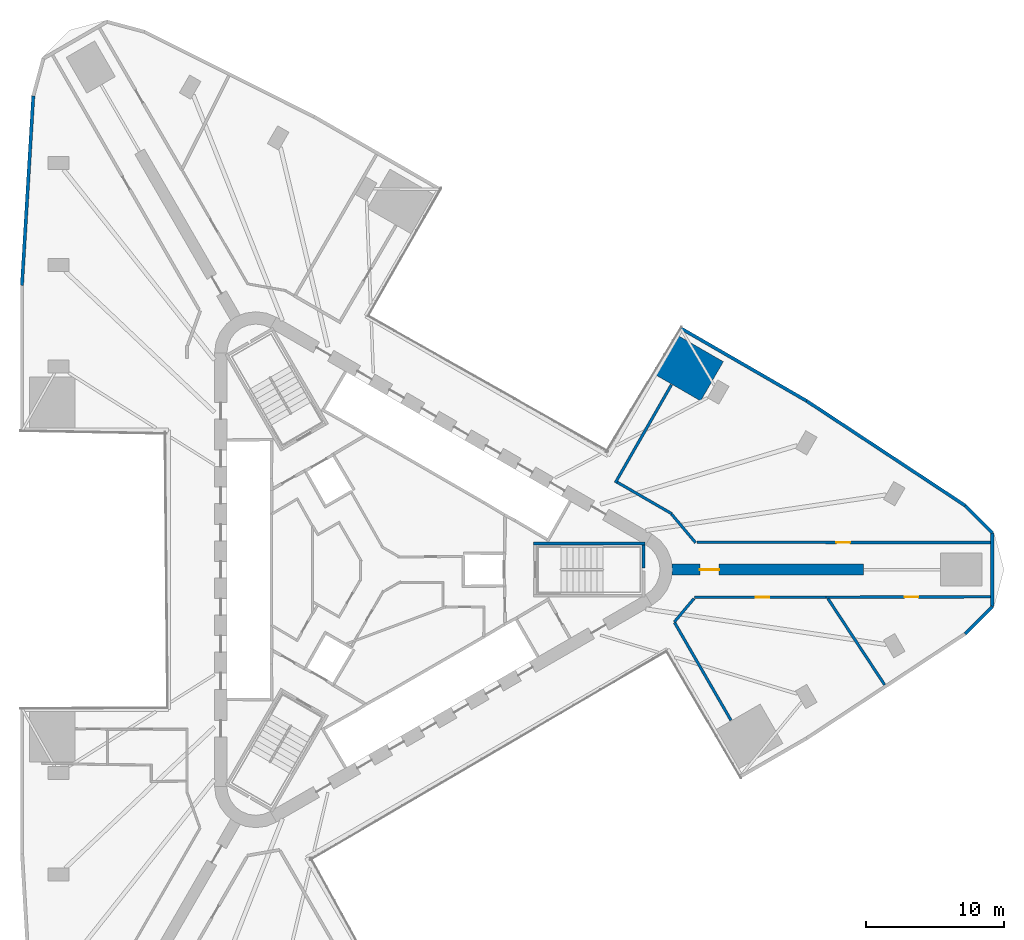
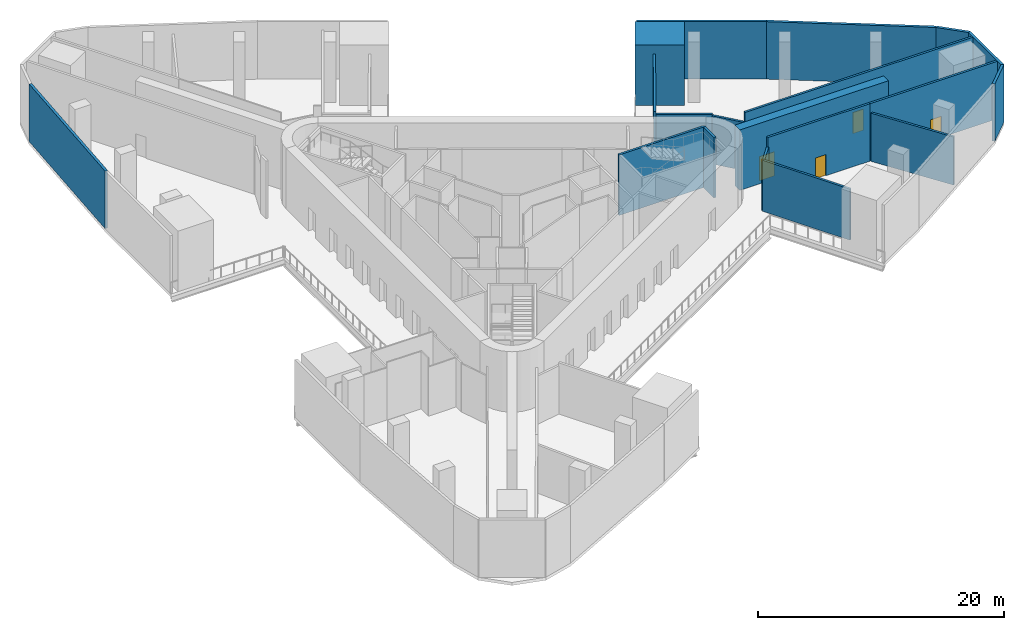
# One storey, part 7 of 11: 19 walls, 4 doors, 4 openings.
"""IFC4 building model written with IfcOpenShell, lengths in metres."""

from ifc_helpers import new_model, si_unit, direction, frame, frame_2d, origin, place, context, subcontext, project, spatial, polyline, rectangle, outline, extrude, material, layer, layer_set, type_object, element, fill, save


model = new_model("IFC4")

# Units and contexts
model_context = context("Model", 3, precision=1e-05, world=origin(), true_north=direction((0.0, 1.0)))
body_context = subcontext(model_context, "Body", "Model", "MODEL_VIEW")
ifc_project = project(units=[si_unit("LENGTHUNIT", "METRE"), si_unit("AREAUNIT", "SQUARE_METRE"), si_unit("VOLUMEUNIT", "CUBIC_METRE"), si_unit("PLANEANGLEUNIT", "RADIAN"), si_unit("MASSUNIT", "GRAM", prefix="KILO")], contexts=[model_context])

# Site, building, storey
site_placement = place(None, origin())
site = spatial("IfcSite", under=ifc_project, at=site_placement, CompositionType="ELEMENT")
building_placement = place(site_placement, origin())
building = spatial("IfcBuilding", under=site, at=building_placement, Name="Tanit Gate Tower", CompositionType="ELEMENT")
storey_placement = place(building_placement, frame((0.0, 0.0, 15.5)))
storey = spatial("IfcBuildingStorey", under=building, at=storey_placement, Name="L02", CompositionType="ELEMENT", Elevation=15.5)

# Wall, opening, door
ifc_material_1 = material(Name="Concrete C60/75", Category="concrete")
ifc_layer_1 = layer(ifc_material_1, 0.800048828125)
ifc_layer_set_1 = layer_set([ifc_layer_1], Name="BUTTRESS FIN 800 C60/75")
wall_type_1 = type_object("IfcWallType", Name="BUTTRESS FIN 800 C60/75", PredefinedType="SHEAR", material=ifc_layer_set_1)
wall_1_placement = place(storey_placement, frame((21.14990234375, 0.0, 0.0), z_axis=(0.0, 0.0, 1.0), x_axis=(1.0, 0.0, 0.0)))
wall_1 = element("IfcWall", 1, at=wall_1_placement, inside=storey, type_object=wall_type_1, Name="BUTTRESS FIN", PredefinedType="SHEAR", context=body_context, shape_type="SweptSolid", body=[
    extrude(rectangle(XDim=13.9541015625, YDim=0.800048828125, at=frame_2d((6.97705078125, 0.0))), origin(), (0.0, 0.0, 1.0), 6.0),
])
opening_1_placement = place(wall_1_placement, frame((2.050048828125, 0.0, 0.0)))
opening_1 = element("IfcOpeningElement", 2, at=opening_1_placement, cuts=wall_1, Name="Opening P14-02-F-E-1", PredefinedType="OPENING", context=body_context, shape_type="SweptSolid", body=[
    extrude(rectangle(XDim=1.39990234375, YDim=2.39990234375, at=frame_2d((0.699951171875, 1.199951171875))), frame((0.0, 0.41015625, 0.0), z_axis=(0.0, -1.0, 0.0), x_axis=(1.0, 0.0, 0.0)), (0.0, 0.0, 1.0), 0.820068359375),
])
ifc_material_2 = material(Name="Timber door leaf", Category="wood")
door_type_1 = type_object("IfcDoorType", Name="INT-DOOR-FIN-PAIR-1400", OperationType="NOTDEFINED", PredefinedType="NOTDEFINED", material=ifc_material_2)
door_1_placement = place(opening_1_placement, origin())
door_1 = element("IfcDoor", 3, at=door_1_placement, inside=storey, type_object=door_type_1, Name="Door P14-02-F-E-1", OperationType="DOUBLE_DOOR_SINGLE_SWING", OverallHeight=2.39990234375, OverallWidth=1.39990234375, PredefinedType="NOTDEFINED", context=body_context, shape_type="SweptSolid", body=[
    extrude(rectangle(XDim=1.39990234375, YDim=2.39990234375, at=frame_2d((0.699951171875, 1.199951171875))), frame((0.0, 0.02490234375, 0.0), z_axis=(0.0, -1.0, 0.0), x_axis=(1.0, 0.0, 0.0)), (0.0, 0.0, 1.0), 0.050048828125),
])
fill(opening_1, door_1)

# Walls
ifc_material_3 = material(Name="Concrete C30/37 with bronze anodised aluminium cladding", Category="concrete")
ifc_layer_2 = layer(ifc_material_3, 0.239990234375)
ifc_layer_set_2 = layer_set([ifc_layer_2], Name="Facade wall bronze clad 240")
wall_type_2 = type_object("IfcWallType", Name="Facade wall bronze clad 240", PredefinedType="SOLIDWALL", material=ifc_layer_set_2)
wall_2_placement = place(storey_placement, frame((42.4873046875, 4.665771484375, 0.0), z_axis=(0.0, 0.0, 1.0), x_axis=(-0.834569880428, 0.550902091739, 0.0)))
element("IfcWall", 4, at=wall_2_placement, inside=storey, type_object=wall_type_2, Name="Bronze-clad facade wall L02 NE1", PredefinedType="SOLIDWALL", context=body_context, shape_type="SweptSolid", body=[
    extrude(rectangle(XDim=13.801513671875, YDim=0.239990234375, at=frame_2d((6.90087890625, 0.0))), origin(), (0.0, 0.0, 1.0), 5.699951171875),
])
wall_3_placement = place(storey_placement, frame((30.968994140625, 12.26904296875, 0.0), z_axis=(0.0, 0.0, 1.0), x_axis=(-0.86605207128, 0.499953807697, 0.0)))
element("IfcWall", 5, at=wall_3_placement, inside=storey, type_object=wall_type_2, Name="Bronze-clad facade wall L02 NE2a", PredefinedType="SOLIDWALL", context=body_context, shape_type="SweptSolid", body=[
    extrude(rectangle(XDim=10.56591796875, YDim=0.239990234375, at=frame_2d((5.282958984375, 0.0))), origin(), (0.0, 0.0, 1.0), 5.699951171875),
])
wall_4_placement = place(storey_placement, frame((-25.284423828125, 34.462158203125, 0.0), z_axis=(0.0, 0.0, 1.0), x_axis=(-0.059807686217, -0.998209918138, 0.0)))
element("IfcWall", 6, at=wall_4_placement, inside=storey, type_object=wall_type_2, Name="Bronze-clad facade wall L02 W1", PredefinedType="SOLIDWALL", context=body_context, shape_type="SweptSolid", body=[
    extrude(rectangle(XDim=13.801513671875, YDim=0.239990234375, at=frame_2d((6.90087890625, 0.0))), origin(), (0.0, 0.0, 1.0), 5.699951171875),
])
wall_5_placement = place(storey_placement, frame((42.4873046875, -4.665771484375, 0.0), z_axis=(0.0, 0.0, 1.0), x_axis=(0.707106781187, 0.707106781187, 0.0)))
element("IfcWall", 7, at=wall_5_placement, inside=storey, type_object=wall_type_2, Name="Bronze-clad facade wall L02 E.arc1", PredefinedType="SOLIDWALL", context=body_context, shape_type="SweptSolid", body=[
    extrude(rectangle(XDim=2.800537109375, YDim=0.239990234375, at=frame_2d((1.400390625, 0.0))), origin(), (0.0, 0.0, 1.0), 5.699951171875),
])
wall_6_placement = place(storey_placement, frame((44.467529296875, -2.685546875, 0.0), z_axis=(0.0, 0.0, 1.0), x_axis=(0.0, 1.0, 0.0)))
element("IfcWall", 8, at=wall_6_placement, inside=storey, type_object=wall_type_2, Name="Bronze-clad facade wall L02 E.arc2", PredefinedType="SOLIDWALL", context=body_context, shape_type="SweptSolid", body=[
    extrude(rectangle(XDim=5.37109375, YDim=0.239990234375, at=frame_2d((2.685546875, 0.0))), origin(), (0.0, 0.0, 1.0), 5.699951171875),
])
wall_7_placement = place(storey_placement, frame((44.467529296875, 2.685546875, 0.0), z_axis=(0.0, 0.0, 1.0), x_axis=(-0.707106781187, 0.707106781187, 0.0)))
element("IfcWall", 9, at=wall_7_placement, inside=storey, type_object=wall_type_2, Name="Bronze-clad facade wall L02 E.arc3", PredefinedType="SOLIDWALL", context=body_context, shape_type="SweptSolid", body=[
    extrude(rectangle(XDim=2.800537109375, YDim=0.239990234375, at=frame_2d((1.400390625, 0.0))), origin(), (0.0, 0.0, 1.0), 5.699951171875),
])
ifc_material_4 = material(Name="Fire-rated gypsum board partition")
ifc_layer_3 = layer(ifc_material_4, 0.199951171875)
ifc_layer_set_3 = layer_set([ifc_layer_3], Name="INT-WALL-COMPARTMENT")
wall_type_3 = type_object("IfcWallType", Name="INT-WALL-COMPARTMENT", PredefinedType="PARTITIONING", material=ifc_layer_set_3)
wall_8_placement = place(storey_placement, frame((17.046875, 6.324462890625, 0.0), z_axis=(0.0, 0.0, 1.0), x_axis=(0.496747817183, 0.867894928044, 0.0)))
element("IfcWall", 10, at=wall_8_placement, inside=storey, type_object=wall_type_3, Name="Wall Compartment W105", PredefinedType="PARTITIONING", context=body_context, shape_type="SweptSolid", body=[
    extrude(rectangle(XDim=8.202880859375, YDim=0.199951171875, at=frame_2d((4.1015625, 0.0))), origin(), (0.0, 0.0, 1.0), 5.169921875),
])
wall_9_placement = place(storey_placement, frame((21.16064453125, 4.064208984375, 0.0), z_axis=(0.0, 0.0, 1.0), x_axis=(-0.865947440868, 0.500135011425, 0.0)))
element("IfcWall", 11, at=wall_9_placement, inside=storey, type_object=wall_type_3, Name="Wall Compartment W106", PredefinedType="PARTITIONING", context=body_context, shape_type="SweptSolid", body=[
    extrude(rectangle(XDim=4.593017578125, YDim=0.199951171875, at=frame_2d((2.29638671875, 0.0))), origin(), (0.0, 0.0, 1.0), 4.8798828125),
])
wall_10_placement = place(storey_placement, frame((22.8779296875, 1.964599609375, 0.0), z_axis=(0.0, 0.0, 1.0), x_axis=(-0.642798464348, 0.766035334846, 0.0)))
element("IfcWall", 12, at=wall_10_placement, inside=storey, type_object=wall_type_3, Name="Wall Compartment W107", PredefinedType="PARTITIONING", context=body_context, shape_type="SweptSolid", body=[
    extrude(rectangle(XDim=2.7060546875, YDim=0.199951171875, at=frame_2d((1.35302734375, 0.0))), origin(), (0.0, 0.0, 1.0), 4.780029296875),
])

# Wall, opening, door
wall_11_placement = place(storey_placement, frame((22.978759765625, 2.0, 0.0), z_axis=(0.0, 0.0, 1.0), x_axis=(0.999999091219, -0.001348169604, 0.0)))
wall_11 = element("IfcWall", 13, at=wall_11_placement, inside=storey, type_object=wall_type_3, Name="Wall Compartment W108", PredefinedType="PARTITIONING", context=body_context, shape_type="SweptSolid", body=[
    extrude(rectangle(XDim=21.36865234375, YDim=0.199951171875, at=frame_2d((10.684326171875, 0.0))), origin(), (0.0, 0.0, 1.0), 5.699951171875),
])
opening_2_placement = place(wall_11_placement, frame((10.135009765625, 0.0, 0.0)))
opening_2 = element("IfcOpeningElement", 14, at=opening_2_placement, cuts=wall_11, Name="Opening F10-02-19", PredefinedType="OPENING", context=body_context, shape_type="SweptSolid", body=[
    extrude(rectangle(XDim=1.0, YDim=2.10009765625, at=frame_2d((0.5, 1.050048828125))), frame((0.0, 0.10986328125, 0.0), z_axis=(0.0, -1.0, 0.0), x_axis=(1.0, 0.0, 0.0)), (0.0, 0.0, 1.0), 0.219970703125),
])
ifc_material_5 = material(Name="Fire-rated steel door leaf", Category="steel")
door_type_2 = type_object("IfcDoorType", Name="INT-DOOR-FIRE-1000", OperationType="NOTDEFINED", PredefinedType="USERDEFINED", material=ifc_material_5)
door_2_placement = place(opening_2_placement, origin())
door_2 = element("IfcDoor", 15, at=door_2_placement, inside=storey, type_object=door_type_2, Name="Door F10-02-19", ObjectType="FIRE DOOR", OperationType="SINGLE_SWING_LEFT", OverallHeight=2.10009765625, OverallWidth=1.0, PredefinedType="USERDEFINED", context=body_context, shape_type="SweptSolid", body=[
    extrude(rectangle(XDim=1.0, YDim=2.10009765625, at=frame_2d((0.5, 1.050048828125))), frame((0.0, 0.02490234375, 0.0), z_axis=(0.0, -1.0, 0.0), x_axis=(1.0, 0.0, 0.0)), (0.0, 0.0, 1.0), 0.050048828125),
])
fill(opening_2, door_2)

wall_12_placement = place(storey_placement, frame((32.374755859375, -2.0, 0.0), z_axis=(0.0, 0.0, 1.0), x_axis=(-1.0, 0.0, 0.0)))
wall_12 = element("IfcWall", 16, at=wall_12_placement, inside=storey, type_object=wall_type_3, Name="Wall Compartment W121", PredefinedType="PARTITIONING", context=body_context, shape_type="SweptSolid", body=[
    extrude(rectangle(XDim=9.57275390625, YDim=0.199951171875, at=frame_2d((4.786376953125, 0.0))), origin(), (0.0, 0.0, 1.0), 5.699951171875),
])
opening_3_placement = place(wall_12_placement, frame((4.126708984375, 0.0, 0.0)))
opening_3 = element("IfcOpeningElement", 17, at=opening_3_placement, cuts=wall_12, Name="Opening F10-02-25", PredefinedType="OPENING", context=body_context, shape_type="SweptSolid", body=[
    extrude(rectangle(XDim=1.0, YDim=2.10009765625, at=frame_2d((0.5, 1.050048828125))), frame((0.0, 0.10986328125, 0.0), z_axis=(0.0, -1.0, 0.0), x_axis=(1.0, 0.0, 0.0)), (0.0, 0.0, 1.0), 0.219970703125),
])
door_3_placement = place(opening_3_placement, origin())
door_3 = element("IfcDoor", 18, at=door_3_placement, inside=storey, type_object=door_type_2, Name="Door F10-02-25", ObjectType="FIRE DOOR", OperationType="SINGLE_SWING_LEFT", OverallHeight=2.10009765625, OverallWidth=1.0, PredefinedType="USERDEFINED", context=body_context, shape_type="SweptSolid", body=[
    extrude(rectangle(XDim=1.0, YDim=2.10009765625, at=frame_2d((0.5, 1.050048828125))), frame((0.0, 0.02490234375, 0.0), z_axis=(0.0, -1.0, 0.0), x_axis=(1.0, 0.0, 0.0)), (0.0, 0.0, 1.0), 0.050048828125),
])
fill(opening_3, door_3)

# Walls
wall_13_placement = place(storey_placement, frame((21.33154296875, -3.807373046875, 0.0), z_axis=(0.0, 0.0, 1.0), x_axis=(0.642927476008, 0.765927059578, 0.0)))
element("IfcWall", 19, at=wall_13_placement, inside=storey, type_object=wall_type_3, Name="Wall Compartment W122", PredefinedType="PARTITIONING", context=body_context, shape_type="SweptSolid", body=[
    extrude(rectangle(XDim=2.22900390625, YDim=0.199951171875, at=frame_2d((1.114501953125, 0.0))), origin(), (0.0, 0.0, 1.0), 4.780029296875),
])
wall_14_placement = place(storey_placement, frame((25.45166015625, -10.943603515625, 0.0), z_axis=(0.0, 0.0, 1.0), x_axis=(-0.499992958048, 0.866029469419, 0.0)))
element("IfcWall", 20, at=wall_14_placement, inside=storey, type_object=wall_type_3, Name="Wall Compartment W123", PredefinedType="PARTITIONING", context=body_context, shape_type="SweptSolid", body=[
    extrude(rectangle(XDim=8.203125, YDim=0.199951171875, at=frame_2d((4.1015625, 0.0))), origin(), (0.0, 0.0, 1.0), 5.070068359375),
])

# Wall, opening, door
wall_15_placement = place(storey_placement, frame((44.347412109375, -1.971435546875, 0.0), z_axis=(0.0, 0.0, 1.0), x_axis=(-0.999997105116, -0.002406192056, 0.0)))
wall_15 = element("IfcWall", 21, at=wall_15_placement, inside=storey, type_object=wall_type_3, Name="Wall Compartment W124", PredefinedType="PARTITIONING", context=body_context, shape_type="SweptSolid", body=[
    extrude(rectangle(XDim=11.97265625, YDim=0.199951171875, at=frame_2d((5.986328125, 0.0))), origin(), (0.0, 0.0, 1.0), 5.699951171875),
])
opening_4_placement = place(wall_15_placement, frame((5.266845703125, 0.0, 0.0)))
opening_4 = element("IfcOpeningElement", 22, at=opening_4_placement, cuts=wall_15, Name="Opening F10-02-26", PredefinedType="OPENING", context=body_context, shape_type="SweptSolid", body=[
    extrude(rectangle(XDim=1.0, YDim=2.10009765625, at=frame_2d((0.5, 1.050048828125))), frame((0.0, 0.10986328125, 0.0), z_axis=(0.0, -1.0, 0.0), x_axis=(1.0, 0.0, 0.0)), (0.0, 0.0, 1.0), 0.219970703125),
])
door_4_placement = place(opening_4_placement, origin())
door_4 = element("IfcDoor", 23, at=door_4_placement, inside=storey, type_object=door_type_2, Name="Door F10-02-26", ObjectType="FIRE DOOR", OperationType="SINGLE_SWING_RIGHT", OverallHeight=2.10009765625, OverallWidth=1.0, PredefinedType="USERDEFINED", context=body_context, shape_type="SweptSolid", body=[
    extrude(rectangle(XDim=1.0, YDim=2.10009765625, at=frame_2d((0.5, 1.050048828125))), frame((0.0, 0.02490234375, 0.0), z_axis=(0.0, -1.0, 0.0), x_axis=(1.0, 0.0, 0.0)), (0.0, 0.0, 1.0), 0.050048828125),
])
fill(opening_4, door_4)

# Walls
wall_16_placement = place(storey_placement, frame((36.633544921875, -8.37841796875, 0.0), z_axis=(0.0, 0.0, 1.0), x_axis=(-0.549584280898, 0.835438279102, 0.0)))
element("IfcWall", 24, at=wall_16_placement, inside=storey, type_object=wall_type_3, Name="Wall Compartment W126", PredefinedType="PARTITIONING", context=body_context, shape_type="SweptSolid", body=[
    extrude(rectangle(XDim=7.514892578125, YDim=0.199951171875, at=frame_2d((3.75732421875, 0.0))), origin(), (0.0, 0.0, 1.0), 4.780029296875),
])
ifc_material_6 = material(Name="Concrete C40/50", Category="concrete")
ifc_layer_4 = layer(ifc_material_6, 0.199951171875)
ifc_layer_set_4 = layer_set([ifc_layer_4], Name="INT-WALL-STAIR")
wall_type_4 = type_object("IfcWallType", Name="INT-WALL-STAIR", PredefinedType="SHEAR", material=ifc_layer_set_4)
wall_17_placement = place(storey_placement, frame((19.199951171875, 1.89990234375, -0.300048828125), z_axis=(0.0, 0.0, 1.0), x_axis=(-1.0, 0.0, 0.0)))
element("IfcWall", 25, at=wall_17_placement, inside=storey, type_object=wall_type_4, Name="Wall Stair W033", PredefinedType="SHEAR", context=body_context, shape_type="SweptSolid", body=[
    extrude(rectangle(XDim=8.099853515625, YDim=0.199951171875, at=frame_2d((4.0498046875, 0.0))), origin(), (0.0, 0.0, 1.0), 6.0),
])
wall_18_placement = place(storey_placement, frame((19.10009765625, 0.110107421875, -0.300048828125), z_axis=(0.0, 0.0, 1.0), x_axis=(0.0, 1.0, 0.0)))
element("IfcWall", 26, at=wall_18_placement, inside=storey, type_object=wall_type_4, Name="Wall Stair W034", PredefinedType="SHEAR", context=body_context, shape_type="SweptSolid", body=[
    extrude(rectangle(XDim=1.68994140625, YDim=0.199951171875, at=frame_2d((0.844970703125, 0.0))), origin(), (0.0, 0.0, 1.0), 6.0),
])
ifc_material_7 = material(Name="Concrete C60/75", Category="concrete")
ifc_layer_5 = layer(ifc_material_7, 4.0)
ifc_layer_set_5 = layer_set([ifc_layer_5], Name="PIER WALL 4000 C60/75")
wall_type_5 = type_object("IfcWallType", Name="PIER WALL 4000 C60/75", PredefinedType="SHEAR", material=ifc_layer_set_5)
wall_19_placement = place(storey_placement, origin())
element("IfcWall", 27, at=wall_19_placement, inside=storey, type_object=wall_type_5, Name="PIER WALL", PredefinedType="SHEAR", context=body_context, shape_type="SweptSolid", body=[
    extrude(outline(polyline([(24.901123046875, 15.1298828125), (21.43701171875, 17.1298828125), (19.787109375, 14.27197265625), (23.251220703125, 12.27197265625), (24.901123046875, 15.1298828125)])), origin(), (0.0, 0.0, 1.0), 6.0),
])

save(model, "model.ifc")
